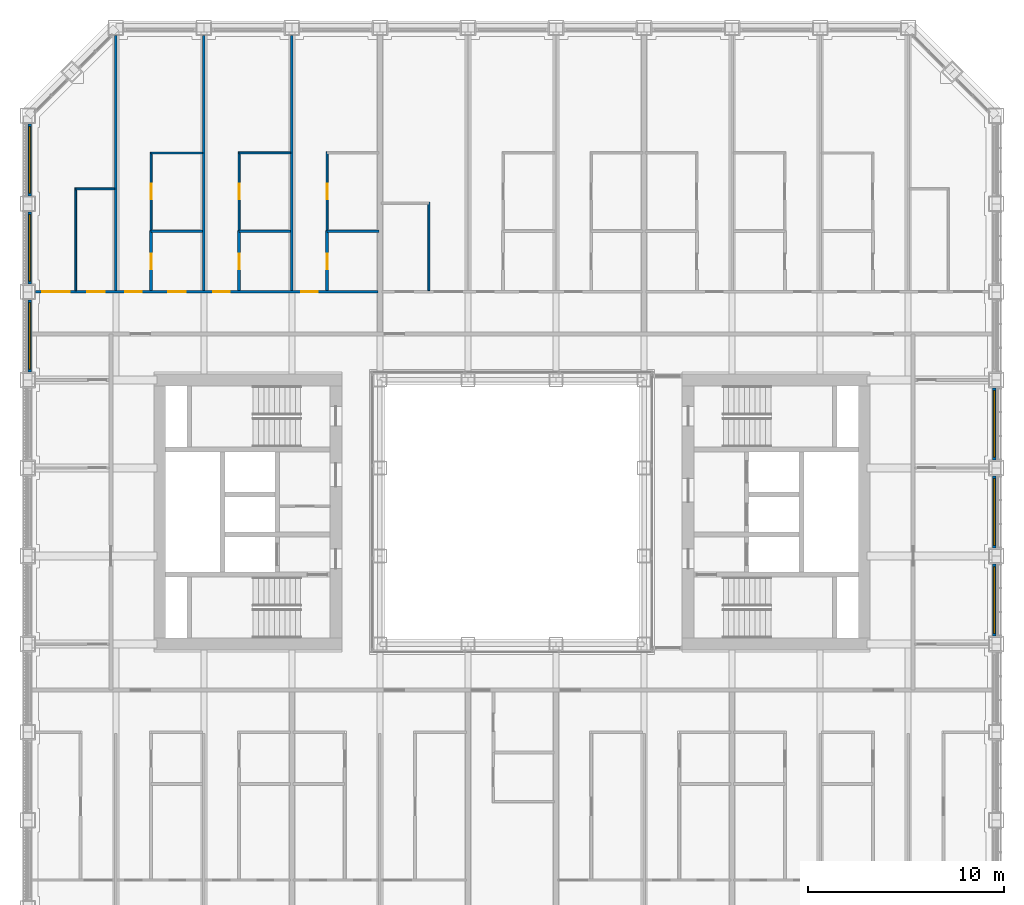
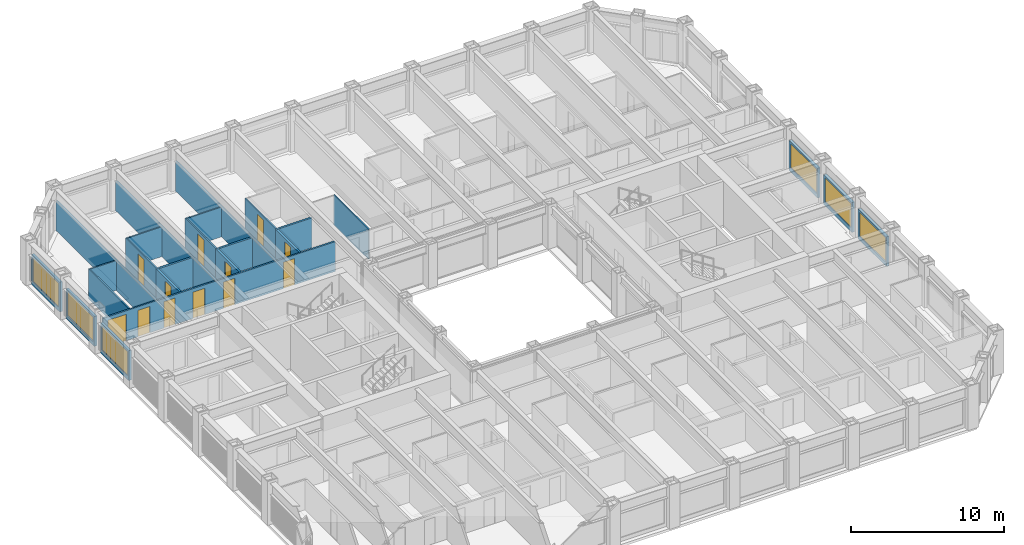
# One storey, part 13 of 21: 24 walls, 12 doors, 6 windows, 18 openings.
"""IFC4 building model written with IfcOpenShell, lengths in metres."""

from ifc_helpers import new_model, si_unit, direction, frame, frame_2d, origin, place, context, subcontext, project, spatial, rectangle, extrude, material, layer, layer_set, type_object, element, fill, save


model = new_model("IFC4")

# Units and contexts
model_context = context("Model", 3, precision=1e-05, world=origin(), true_north=direction((0.0, 1.0)))
body_context = subcontext(model_context, "Body", "Model", "MODEL_VIEW")
ifc_project = project(units=[si_unit("LENGTHUNIT", "METRE"), si_unit("AREAUNIT", "SQUARE_METRE"), si_unit("VOLUMEUNIT", "CUBIC_METRE"), si_unit("PLANEANGLEUNIT", "RADIAN"), si_unit("MASSUNIT", "GRAM", prefix="KILO")], contexts=[model_context])

# Site, building, storey
site_placement = place(None, origin())
site = spatial("IfcSite", under=ifc_project, at=site_placement, CompositionType="ELEMENT")
building_placement = place(site_placement, origin())
building = spatial("IfcBuilding", under=site, at=building_placement, Name="Msasa Ring Tower", CompositionType="ELEMENT")
storey_placement = place(building_placement, frame((0.0, 0.0, 72.0)))
storey = spatial("IfcBuildingStorey", under=building, at=storey_placement, Name="L18", CompositionType="ELEMENT", Elevation=72.0)

# Wall, opening, window
ifc_material_1 = material(Name="Terracotta rainscreen on blockwork", Category="masonry")
ifc_layer_1 = layer(ifc_material_1, 0.199951171875)
ifc_layer_set_1 = layer_set([ifc_layer_1], Name="FW1 TERRACOTTA-LINED INFILL BAY WALL 200")
wall_type_1 = type_object("IfcWallType", Name="FW1 TERRACOTTA-LINED INFILL BAY WALL 200", PredefinedType="SOLIDWALL", material=ifc_layer_set_1)
wall_1_placement = place(storey_placement, frame((24.64990234375, -6.344970703125, 0.0), z_axis=(0.0, 0.0, 1.0), x_axis=(0.0, 1.0, 0.0)))
wall_1 = element("IfcWall", 1, at=wall_1_placement, inside=storey, type_object=wall_type_1, Name="Infill bay wall E L18 14", PredefinedType="SOLIDWALL", context=body_context, shape_type="SweptSolid", body=[
    extrude(rectangle(XDim=3.68994140625, YDim=0.199951171875, at=frame_2d((1.844970703125, 0.0))), origin(), (0.0, 0.0, 1.0), 2.37890625),
])
opening_1_placement = place(wall_1_placement, frame((0.14501953125, 0.0, 0.300048828125)))
opening_1 = element("IfcOpeningElement", 2, at=opening_1_placement, cuts=wall_1, Name="Opening WN1", PredefinedType="OPENING", context=body_context, shape_type="SweptSolid", body=[
    extrude(rectangle(XDim=3.39990234375, YDim=1.928955078125, at=frame_2d((1.699951171875, 0.96435546875))), frame((0.0, 0.10986328125, 0.0), z_axis=(0.0, -1.0, 0.0), x_axis=(1.0, 0.0, 0.0)), (0.0, 0.0, 1.0), 0.219970703125),
])
ifc_material_2 = material(Name="Aluminium frame with clear glass", Category="aluminium")
window_type = type_object("IfcWindowType", Name="WN1 RESIDENCE WINDOW 3400x1929", PartitioningType="SINGLE_PANEL", PredefinedType="WINDOW", material=ifc_material_2)
window_1_placement = place(opening_1_placement, origin())
window_1 = element("IfcWindow", 3, at=window_1_placement, inside=storey, type_object=window_type, Name="Window E L18 14", OverallHeight=1.928955078125, OverallWidth=3.39990234375, PartitioningType="SINGLE_PANEL", PredefinedType="WINDOW", context=body_context, shape_type="SweptSolid", body=[
    extrude(rectangle(XDim=3.39990234375, YDim=1.928955078125, at=frame_2d((1.699951171875, 0.96435546875))), frame((0.0, 0.030029296875, 0.0), z_axis=(0.0, -1.0, 0.0), x_axis=(1.0, 0.0, 0.0)), (0.0, 0.0, 1.0), 0.06005859375),
])
fill(opening_1, window_1)

wall_2_placement = place(storey_placement, frame((24.64990234375, -1.844970703125, 0.0), z_axis=(0.0, 0.0, 1.0), x_axis=(0.0, 1.0, 0.0)))
wall_2 = element("IfcWall", 4, at=wall_2_placement, inside=storey, type_object=wall_type_1, Name="Infill bay wall E L18 15", PredefinedType="SOLIDWALL", context=body_context, shape_type="SweptSolid", body=[
    extrude(rectangle(XDim=3.68994140625, YDim=0.199951171875, at=frame_2d((1.844970703125, 0.0))), origin(), (0.0, 0.0, 1.0), 2.37890625),
])
opening_2_placement = place(wall_2_placement, frame((0.14501953125, 0.0, 0.300048828125)))
opening_2 = element("IfcOpeningElement", 5, at=opening_2_placement, cuts=wall_2, Name="Opening WN1", PredefinedType="OPENING", context=body_context, shape_type="SweptSolid", body=[
    extrude(rectangle(XDim=3.39990234375, YDim=1.928955078125, at=frame_2d((1.699951171875, 0.96435546875))), frame((0.0, 0.10986328125, 0.0), z_axis=(0.0, -1.0, 0.0), x_axis=(1.0, 0.0, 0.0)), (0.0, 0.0, 1.0), 0.219970703125),
])
window_2_placement = place(opening_2_placement, origin())
window_2 = element("IfcWindow", 6, at=window_2_placement, inside=storey, type_object=window_type, Name="Window E L18 15", OverallHeight=1.928955078125, OverallWidth=3.39990234375, PartitioningType="SINGLE_PANEL", PredefinedType="WINDOW", context=body_context, shape_type="SweptSolid", body=[
    extrude(rectangle(XDim=3.39990234375, YDim=1.928955078125, at=frame_2d((1.699951171875, 0.96435546875))), frame((0.0, 0.030029296875, 0.0), z_axis=(0.0, -1.0, 0.0), x_axis=(1.0, 0.0, 0.0)), (0.0, 0.0, 1.0), 0.06005859375),
])
fill(opening_2, window_2)

wall_3_placement = place(storey_placement, frame((24.64990234375, 2.655029296875, 0.0), z_axis=(0.0, 0.0, 1.0), x_axis=(0.0, 1.0, 0.0)))
wall_3 = element("IfcWall", 7, at=wall_3_placement, inside=storey, type_object=wall_type_1, Name="Infill bay wall E L18 16", PredefinedType="SOLIDWALL", context=body_context, shape_type="SweptSolid", body=[
    extrude(rectangle(XDim=3.68994140625, YDim=0.199951171875, at=frame_2d((1.844970703125, 0.0))), origin(), (0.0, 0.0, 1.0), 2.37890625),
])
opening_3_placement = place(wall_3_placement, frame((0.14501953125, 0.0, 0.300048828125)))
opening_3 = element("IfcOpeningElement", 8, at=opening_3_placement, cuts=wall_3, Name="Opening WN1", PredefinedType="OPENING", context=body_context, shape_type="SweptSolid", body=[
    extrude(rectangle(XDim=3.39990234375, YDim=1.928955078125, at=frame_2d((1.699951171875, 0.96435546875))), frame((0.0, 0.10986328125, 0.0), z_axis=(0.0, -1.0, 0.0), x_axis=(1.0, 0.0, 0.0)), (0.0, 0.0, 1.0), 0.219970703125),
])
window_3_placement = place(opening_3_placement, origin())
window_3 = element("IfcWindow", 9, at=window_3_placement, inside=storey, type_object=window_type, Name="Window E L18 16", OverallHeight=1.928955078125, OverallWidth=3.39990234375, PartitioningType="SINGLE_PANEL", PredefinedType="WINDOW", context=body_context, shape_type="SweptSolid", body=[
    extrude(rectangle(XDim=3.39990234375, YDim=1.928955078125, at=frame_2d((1.699951171875, 0.96435546875))), frame((0.0, 0.030029296875, 0.0), z_axis=(0.0, -1.0, 0.0), x_axis=(1.0, 0.0, 0.0)), (0.0, 0.0, 1.0), 0.06005859375),
])
fill(opening_3, window_3)

wall_4_placement = place(storey_placement, frame((-24.64990234375, 7.155029296875, 0.0), z_axis=(0.0, 0.0, 1.0), x_axis=(0.0, 1.0, 0.0)))
wall_4 = element("IfcWall", 10, at=wall_4_placement, inside=storey, type_object=wall_type_1, Name="Infill bay wall W L18 39", PredefinedType="SOLIDWALL", context=body_context, shape_type="SweptSolid", body=[
    extrude(rectangle(XDim=3.68994140625, YDim=0.199951171875, at=frame_2d((1.844970703125, 0.0))), origin(), (0.0, 0.0, 1.0), 2.37890625),
])
opening_4_placement = place(wall_4_placement, frame((0.14501953125, 0.0, 0.300048828125)))
opening_4 = element("IfcOpeningElement", 11, at=opening_4_placement, cuts=wall_4, Name="Opening WN1", PredefinedType="OPENING", context=body_context, shape_type="SweptSolid", body=[
    extrude(rectangle(XDim=3.39990234375, YDim=1.928955078125, at=frame_2d((1.699951171875, 0.96435546875))), frame((0.0, 0.10986328125, 0.0), z_axis=(0.0, -1.0, 0.0), x_axis=(1.0, 0.0, 0.0)), (0.0, 0.0, 1.0), 0.219970703125),
])
window_4_placement = place(opening_4_placement, origin())
window_4 = element("IfcWindow", 12, at=window_4_placement, inside=storey, type_object=window_type, Name="Window W L18 39", OverallHeight=1.928955078125, OverallWidth=3.39990234375, PartitioningType="SINGLE_PANEL", PredefinedType="WINDOW", context=body_context, shape_type="SweptSolid", body=[
    extrude(rectangle(XDim=3.39990234375, YDim=1.928955078125, at=frame_2d((1.699951171875, 0.96435546875))), frame((0.0, 0.030029296875, 0.0), z_axis=(0.0, -1.0, 0.0), x_axis=(1.0, 0.0, 0.0)), (0.0, 0.0, 1.0), 0.06005859375),
])
fill(opening_4, window_4)

wall_5_placement = place(storey_placement, frame((-24.64990234375, 11.655029296875, 0.0), z_axis=(0.0, 0.0, 1.0), x_axis=(0.0, 1.0, 0.0)))
wall_5 = element("IfcWall", 13, at=wall_5_placement, inside=storey, type_object=wall_type_1, Name="Infill bay wall W L18 40", PredefinedType="SOLIDWALL", context=body_context, shape_type="SweptSolid", body=[
    extrude(rectangle(XDim=3.68994140625, YDim=0.199951171875, at=frame_2d((1.844970703125, 0.0))), origin(), (0.0, 0.0, 1.0), 2.37890625),
])
opening_5_placement = place(wall_5_placement, frame((0.14501953125, 0.0, 0.300048828125)))
opening_5 = element("IfcOpeningElement", 14, at=opening_5_placement, cuts=wall_5, Name="Opening WN1", PredefinedType="OPENING", context=body_context, shape_type="SweptSolid", body=[
    extrude(rectangle(XDim=3.39990234375, YDim=1.928955078125, at=frame_2d((1.699951171875, 0.96435546875))), frame((0.0, 0.10986328125, 0.0), z_axis=(0.0, -1.0, 0.0), x_axis=(1.0, 0.0, 0.0)), (0.0, 0.0, 1.0), 0.219970703125),
])
window_5_placement = place(opening_5_placement, origin())
window_5 = element("IfcWindow", 15, at=window_5_placement, inside=storey, type_object=window_type, Name="Window W L18 40", OverallHeight=1.928955078125, OverallWidth=3.39990234375, PartitioningType="SINGLE_PANEL", PredefinedType="WINDOW", context=body_context, shape_type="SweptSolid", body=[
    extrude(rectangle(XDim=3.39990234375, YDim=1.928955078125, at=frame_2d((1.699951171875, 0.96435546875))), frame((0.0, 0.030029296875, 0.0), z_axis=(0.0, -1.0, 0.0), x_axis=(1.0, 0.0, 0.0)), (0.0, 0.0, 1.0), 0.06005859375),
])
fill(opening_5, window_5)

wall_6_placement = place(storey_placement, frame((-24.64990234375, 16.155029296875, 0.0), z_axis=(0.0, 0.0, 1.0), x_axis=(0.0, 1.0, 0.0)))
wall_6 = element("IfcWall", 16, at=wall_6_placement, inside=storey, type_object=wall_type_1, Name="Infill bay wall W L18 41", PredefinedType="SOLIDWALL", context=body_context, shape_type="SweptSolid", body=[
    extrude(rectangle(XDim=3.68994140625, YDim=0.199951171875, at=frame_2d((1.844970703125, 0.0))), origin(), (0.0, 0.0, 1.0), 2.37890625),
])
opening_6_placement = place(wall_6_placement, frame((0.14501953125, 0.0, 0.300048828125)))
opening_6 = element("IfcOpeningElement", 17, at=opening_6_placement, cuts=wall_6, Name="Opening WN1", PredefinedType="OPENING", context=body_context, shape_type="SweptSolid", body=[
    extrude(rectangle(XDim=3.39990234375, YDim=1.928955078125, at=frame_2d((1.699951171875, 0.96435546875))), frame((0.0, 0.10986328125, 0.0), z_axis=(0.0, -1.0, 0.0), x_axis=(1.0, 0.0, 0.0)), (0.0, 0.0, 1.0), 0.219970703125),
])
window_6_placement = place(opening_6_placement, origin())
window_6 = element("IfcWindow", 18, at=window_6_placement, inside=storey, type_object=window_type, Name="Window W L18 41", OverallHeight=1.928955078125, OverallWidth=3.39990234375, PartitioningType="SINGLE_PANEL", PredefinedType="WINDOW", context=body_context, shape_type="SweptSolid", body=[
    extrude(rectangle(XDim=3.39990234375, YDim=1.928955078125, at=frame_2d((1.699951171875, 0.96435546875))), frame((0.0, 0.030029296875, 0.0), z_axis=(0.0, -1.0, 0.0), x_axis=(1.0, 0.0, 0.0)), (0.0, 0.0, 1.0), 0.06005859375),
])
fill(opening_6, window_6)

# Walls
ifc_material_3 = material(Name="Gypsum board on steel studs", Category="steel")
ifc_layer_2 = layer(ifc_material_3, 0.10009765625)
ifc_layer_set_2 = layer_set([ifc_layer_2], Name="PT2 STUD PARTITION 100")
wall_type_2 = type_object("IfcWallType", Name="PT2 STUD PARTITION 100", PredefinedType="PARTITIONING", material=ifc_layer_set_2)
wall_7_placement = place(storey_placement, frame((-22.300048828125, 11.3125, 0.0), z_axis=(0.0, 0.0, 1.0), x_axis=(0.0, 1.0, 0.0)))
element("IfcWall", 19, at=wall_7_placement, inside=storey, type_object=wall_type_2, Name="Partition L18-UN00KX", PredefinedType="PARTITIONING", context=body_context, shape_type="SweptSolid", body=[
    extrude(rectangle(XDim=5.25, YDim=0.10009765625, at=frame_2d((2.625, 0.0))), origin(), (0.0, 0.0, 1.0), 2.373291015625),
])
wall_8_placement = place(storey_placement, frame((-22.300048828125, 16.512451171875, 0.0), z_axis=(0.0, 0.0, 1.0), x_axis=(1.0, 0.0, 0.0)))
element("IfcWall", 20, at=wall_8_placement, inside=storey, type_object=wall_type_2, Name="Partition L18-UN00KY", PredefinedType="PARTITIONING", context=body_context, shape_type="SweptSolid", body=[
    extrude(rectangle(XDim=1.987548828125, YDim=0.10009765625, at=frame_2d((0.99365234375, 0.0))), origin(), (0.0, 0.0, 1.0), 2.373291015625),
])

# Wall, opening, door
wall_9_placement = place(storey_placement, frame((-18.449951171875, 14.39990234375, 0.0), z_axis=(0.0, 0.0, 1.0), x_axis=(0.0, 1.0, 0.0)))
wall_9 = element("IfcWall", 21, at=wall_9_placement, inside=storey, type_object=wall_type_2, Name="Partition L18-UN00WX1", PredefinedType="PARTITIONING", context=body_context, shape_type="SweptSolid", body=[
    extrude(rectangle(XDim=4.00048828125, YDim=0.10009765625, at=frame_2d((2.000244140625, 0.0))), origin(), (0.0, 0.0, 1.0), 2.373291015625),
])
opening_7_placement = place(wall_9_placement, frame((1.5751953125, 0.0, 0.0)))
opening_7 = element("IfcOpeningElement", 22, at=opening_7_placement, cuts=wall_9, Name="Opening RE-001", PredefinedType="OPENING", context=body_context, shape_type="SweptSolid", body=[
    extrude(rectangle(XDim=0.800048828125, YDim=2.10009765625, at=frame_2d((0.39990234375, 1.050048828125))), frame((0.0, 0.06005859375, 0.0), z_axis=(0.0, -1.0, 0.0), x_axis=(1.0, 0.0, 0.0)), (0.0, 0.0, 1.0), 0.1201171875),
])
ifc_material_4 = material(Name="Timber door leaf in a steel frame", Category="steel")
door_type_1 = type_object("IfcDoorType", Name="D60 DRESSING ROOM DOOR 800x2100", OperationType="SINGLE_SWING_LEFT", PredefinedType="DOOR", material=ifc_material_4)
door_1_placement = place(opening_7_placement, origin())
door_1 = element("IfcDoor", 23, at=door_1_placement, inside=storey, type_object=door_type_1, Name="Door L18-UN00W1", OperationType="SINGLE_SWING_LEFT", OverallHeight=2.10009765625, OverallWidth=0.800048828125, PredefinedType="DOOR", context=body_context, shape_type="SweptSolid", body=[
    extrude(rectangle(XDim=0.800048828125, YDim=2.10009765625, at=frame_2d((0.39990234375, 1.050048828125))), frame((0.0, 0.02490234375, 0.0), z_axis=(0.0, -1.0, 0.0), x_axis=(1.0, 0.0, 0.0)), (0.0, 0.0, 1.0), 0.050048828125),
])
fill(opening_7, door_1)

# Wall
wall_10_placement = place(storey_placement, frame((-18.449951171875, 18.350341796875, 0.0), z_axis=(0.0, 0.0, 1.0), x_axis=(1.0, 0.0, 0.0)))
element("IfcWall", 24, at=wall_10_placement, inside=storey, type_object=wall_type_2, Name="Partition L18-UN00WY1", PredefinedType="PARTITIONING", context=body_context, shape_type="SweptSolid", body=[
    extrude(rectangle(XDim=2.639892578125, YDim=0.10009765625, at=frame_2d((1.31982421875, 0.0))), origin(), (0.0, 0.0, 1.0), 2.373291015625),
])

# Wall, opening, door
wall_11_placement = place(storey_placement, frame((-13.949951171875, 14.39990234375, 0.0), z_axis=(0.0, 0.0, 1.0), x_axis=(0.0, 1.0, 0.0)))
wall_11 = element("IfcWall", 25, at=wall_11_placement, inside=storey, type_object=wall_type_2, Name="Partition L18-UN00WX2", PredefinedType="PARTITIONING", context=body_context, shape_type="SweptSolid", body=[
    extrude(rectangle(XDim=4.003173828125, YDim=0.10009765625, at=frame_2d((2.00146484375, 0.0))), origin(), (0.0, 0.0, 1.0), 2.373291015625),
])
opening_8_placement = place(wall_11_placement, frame((1.576416015625, 0.0, 0.0)))
opening_8 = element("IfcOpeningElement", 26, at=opening_8_placement, cuts=wall_11, Name="Opening RE-002", PredefinedType="OPENING", context=body_context, shape_type="SweptSolid", body=[
    extrude(rectangle(XDim=0.800048828125, YDim=2.10009765625, at=frame_2d((0.39990234375, 1.050048828125))), frame((0.0, 0.06005859375, 0.0), z_axis=(0.0, -1.0, 0.0), x_axis=(1.0, 0.0, 0.0)), (0.0, 0.0, 1.0), 0.1201171875),
])
door_2_placement = place(opening_8_placement, origin())
door_2 = element("IfcDoor", 27, at=door_2_placement, inside=storey, type_object=door_type_1, Name="Door L18-UN00W2", OperationType="SINGLE_SWING_LEFT", OverallHeight=2.10009765625, OverallWidth=0.800048828125, PredefinedType="DOOR", context=body_context, shape_type="SweptSolid", body=[
    extrude(rectangle(XDim=0.800048828125, YDim=2.10009765625, at=frame_2d((0.39990234375, 1.050048828125))), frame((0.0, 0.02490234375, 0.0), z_axis=(0.0, -1.0, 0.0), x_axis=(1.0, 0.0, 0.0)), (0.0, 0.0, 1.0), 0.050048828125),
])
fill(opening_8, door_2)

# Wall
wall_12_placement = place(storey_placement, frame((-13.949951171875, 18.35302734375, 0.0), z_axis=(0.0, 0.0, 1.0), x_axis=(1.0, 0.0, 0.0)))
element("IfcWall", 28, at=wall_12_placement, inside=storey, type_object=wall_type_2, Name="Partition L18-UN00WY2", PredefinedType="PARTITIONING", context=body_context, shape_type="SweptSolid", body=[
    extrude(rectangle(XDim=2.639892578125, YDim=0.10009765625, at=frame_2d((1.31982421875, 0.0))), origin(), (0.0, 0.0, 1.0), 2.373291015625),
])

# Wall, opening, door
wall_13_placement = place(storey_placement, frame((-9.449951171875, 14.39990234375, 0.0), z_axis=(0.0, 0.0, 1.0), x_axis=(0.0, 1.0, 0.0)))
wall_13 = element("IfcWall", 29, at=wall_13_placement, inside=storey, type_object=wall_type_2, Name="Partition L18-UN00WX3", PredefinedType="PARTITIONING", context=body_context, shape_type="SweptSolid", body=[
    extrude(rectangle(XDim=4.003173828125, YDim=0.10009765625, at=frame_2d((2.00146484375, 0.0))), origin(), (0.0, 0.0, 1.0), 2.373291015625),
])
opening_9_placement = place(wall_13_placement, frame((1.576416015625, 0.0, 0.0)))
opening_9 = element("IfcOpeningElement", 30, at=opening_9_placement, cuts=wall_13, Name="Opening RE-003", PredefinedType="OPENING", context=body_context, shape_type="SweptSolid", body=[
    extrude(rectangle(XDim=0.800048828125, YDim=2.10009765625, at=frame_2d((0.39990234375, 1.050048828125))), frame((0.0, 0.06005859375, 0.0), z_axis=(0.0, -1.0, 0.0), x_axis=(1.0, 0.0, 0.0)), (0.0, 0.0, 1.0), 0.1201171875),
])
door_3_placement = place(opening_9_placement, origin())
door_3 = element("IfcDoor", 31, at=door_3_placement, inside=storey, type_object=door_type_1, Name="Door L18-UN00W3", OperationType="SINGLE_SWING_LEFT", OverallHeight=2.10009765625, OverallWidth=0.800048828125, PredefinedType="DOOR", context=body_context, shape_type="SweptSolid", body=[
    extrude(rectangle(XDim=0.800048828125, YDim=2.10009765625, at=frame_2d((0.39990234375, 1.050048828125))), frame((0.0, 0.02490234375, 0.0), z_axis=(0.0, -1.0, 0.0), x_axis=(1.0, 0.0, 0.0)), (0.0, 0.0, 1.0), 0.050048828125),
])
fill(opening_9, door_3)

# Wall
wall_14_placement = place(storey_placement, frame((-4.25, 11.3125, 0.0), z_axis=(0.0, 0.0, 1.0), x_axis=(0.0, 1.0, 0.0)))
element("IfcWall", 32, at=wall_14_placement, inside=storey, type_object=wall_type_2, Name="Partition L18-UN01KX", PredefinedType="PARTITIONING", context=body_context, shape_type="SweptSolid", body=[
    extrude(rectangle(XDim=4.530029296875, YDim=0.10009765625, at=frame_2d((2.26513671875, 0.0))), origin(), (0.0, 0.0, 1.0), 2.373291015625),
])

# Wall, opening, door
ifc_material_5 = material(Name="Moisture-resistant board on steel studs with a concealed cistern and pipe void, tiled", Category="steel")
ifc_layer_3 = layer(ifc_material_5, 0.14990234375)
ifc_layer_set_3 = layer_set([ifc_layer_3], Name="PT4 BATHROOM WET WALL 150")
wall_type_3 = type_object("IfcWallType", Name="PT4 BATHROOM WET WALL 150", PredefinedType="PARTITIONING", material=ifc_layer_set_3)
wall_15_placement = place(storey_placement, frame((-18.449951171875, 11.3125, 0.0), z_axis=(0.0, 0.0, 1.0), x_axis=(0.0, 1.0, 0.0)))
wall_15 = element("IfcWall", 33, at=wall_15_placement, inside=storey, type_object=wall_type_3, Name="Partition L18-UN00BX1", PredefinedType="PARTITIONING", context=body_context, shape_type="SweptSolid", body=[
    extrude(rectangle(XDim=3.08740234375, YDim=0.14990234375, at=frame_2d((1.543701171875, 0.0))), origin(), (0.0, 0.0, 1.0), 2.373291015625),
])
opening_10_placement = place(wall_15_placement, frame((1.08740234375, 0.0, 0.0)))
opening_10 = element("IfcOpeningElement", 34, at=opening_10_placement, cuts=wall_15, Name="Opening RE-009", PredefinedType="OPENING", context=body_context, shape_type="SweptSolid", body=[
    extrude(rectangle(XDim=0.800048828125, YDim=2.10009765625, at=frame_2d((0.39990234375, 1.050048828125))), frame((0.0, 0.0849609375, 0.0), z_axis=(0.0, -1.0, 0.0), x_axis=(1.0, 0.0, 0.0)), (0.0, 0.0, 1.0), 0.169921875),
])
ifc_material_6 = material(Name="Timber door leaf in a steel frame", Category="steel")
door_type_2 = type_object("IfcDoorType", Name="D21 POCKET SLIDING BATHROOM DOOR 800x2100", OperationType="SINGLE_SWING_LEFT", PredefinedType="DOOR", material=ifc_material_6)
door_4_placement = place(opening_10_placement, origin())
door_4 = element("IfcDoor", 35, at=door_4_placement, inside=storey, type_object=door_type_2, Name="Door L18-UN00B1", OperationType="SINGLE_SWING_LEFT", OverallHeight=2.10009765625, OverallWidth=0.800048828125, PredefinedType="DOOR", context=body_context, shape_type="SweptSolid", body=[
    extrude(rectangle(XDim=0.800048828125, YDim=2.10009765625, at=frame_2d((0.39990234375, 1.050048828125))), frame((0.0, 0.02490234375, 0.0), z_axis=(0.0, -1.0, 0.0), x_axis=(1.0, 0.0, 0.0)), (0.0, 0.0, 1.0), 0.050048828125),
])
fill(opening_10, door_4)

# Wall
wall_16_placement = place(storey_placement, frame((-18.449951171875, 14.35009765625, 0.0), z_axis=(0.0, 0.0, 1.0), x_axis=(1.0, 0.0, 0.0)))
element("IfcWall", 36, at=wall_16_placement, inside=storey, type_object=wall_type_3, Name="Partition L18-UN00BY1", PredefinedType="PARTITIONING", context=body_context, shape_type="SweptSolid", body=[
    extrude(rectangle(XDim=2.639892578125, YDim=0.14990234375, at=frame_2d((1.31982421875, 0.0))), origin(), (0.0, 0.0, 1.0), 2.373291015625),
])

# Wall, opening, door
wall_17_placement = place(storey_placement, frame((-13.949951171875, 11.3125, 0.0), z_axis=(0.0, 0.0, 1.0), x_axis=(0.0, 1.0, 0.0)))
wall_17 = element("IfcWall", 37, at=wall_17_placement, inside=storey, type_object=wall_type_3, Name="Partition L18-UN00BX2", PredefinedType="PARTITIONING", context=body_context, shape_type="SweptSolid", body=[
    extrude(rectangle(XDim=3.08740234375, YDim=0.14990234375, at=frame_2d((1.543701171875, 0.0))), origin(), (0.0, 0.0, 1.0), 2.373291015625),
])
opening_11_placement = place(wall_17_placement, frame((1.08740234375, 0.0, 0.0)))
opening_11 = element("IfcOpeningElement", 38, at=opening_11_placement, cuts=wall_17, Name="Opening RE-010", PredefinedType="OPENING", context=body_context, shape_type="SweptSolid", body=[
    extrude(rectangle(XDim=0.800048828125, YDim=2.10009765625, at=frame_2d((0.39990234375, 1.050048828125))), frame((0.0, 0.0849609375, 0.0), z_axis=(0.0, -1.0, 0.0), x_axis=(1.0, 0.0, 0.0)), (0.0, 0.0, 1.0), 0.169921875),
])
door_5_placement = place(opening_11_placement, origin())
door_5 = element("IfcDoor", 39, at=door_5_placement, inside=storey, type_object=door_type_2, Name="Door L18-UN00B2", OperationType="SINGLE_SWING_LEFT", OverallHeight=2.10009765625, OverallWidth=0.800048828125, PredefinedType="DOOR", context=body_context, shape_type="SweptSolid", body=[
    extrude(rectangle(XDim=0.800048828125, YDim=2.10009765625, at=frame_2d((0.39990234375, 1.050048828125))), frame((0.0, 0.02490234375, 0.0), z_axis=(0.0, -1.0, 0.0), x_axis=(1.0, 0.0, 0.0)), (0.0, 0.0, 1.0), 0.050048828125),
])
fill(opening_11, door_5)

# Wall
wall_18_placement = place(storey_placement, frame((-13.949951171875, 14.35009765625, 0.0), z_axis=(0.0, 0.0, 1.0), x_axis=(1.0, 0.0, 0.0)))
element("IfcWall", 40, at=wall_18_placement, inside=storey, type_object=wall_type_3, Name="Partition L18-UN00BY2", PredefinedType="PARTITIONING", context=body_context, shape_type="SweptSolid", body=[
    extrude(rectangle(XDim=2.639892578125, YDim=0.14990234375, at=frame_2d((1.31982421875, 0.0))), origin(), (0.0, 0.0, 1.0), 2.373291015625),
])

# Wall, opening, door
wall_19_placement = place(storey_placement, frame((-9.449951171875, 11.3125, 0.0), z_axis=(0.0, 0.0, 1.0), x_axis=(0.0, 1.0, 0.0)))
wall_19 = element("IfcWall", 41, at=wall_19_placement, inside=storey, type_object=wall_type_3, Name="Partition L18-UN00BX3", PredefinedType="PARTITIONING", context=body_context, shape_type="SweptSolid", body=[
    extrude(rectangle(XDim=3.08740234375, YDim=0.14990234375, at=frame_2d((1.543701171875, 0.0))), origin(), (0.0, 0.0, 1.0), 2.373291015625),
])
opening_12_placement = place(wall_19_placement, frame((1.08740234375, 0.0, 0.0)))
opening_12 = element("IfcOpeningElement", 42, at=opening_12_placement, cuts=wall_19, Name="Opening RE-011", PredefinedType="OPENING", context=body_context, shape_type="SweptSolid", body=[
    extrude(rectangle(XDim=0.800048828125, YDim=2.10009765625, at=frame_2d((0.39990234375, 1.050048828125))), frame((0.0, 0.0849609375, 0.0), z_axis=(0.0, -1.0, 0.0), x_axis=(1.0, 0.0, 0.0)), (0.0, 0.0, 1.0), 0.169921875),
])
door_6_placement = place(opening_12_placement, origin())
door_6 = element("IfcDoor", 43, at=door_6_placement, inside=storey, type_object=door_type_2, Name="Door L18-UN00B3", OperationType="SINGLE_SWING_LEFT", OverallHeight=2.10009765625, OverallWidth=0.800048828125, PredefinedType="DOOR", context=body_context, shape_type="SweptSolid", body=[
    extrude(rectangle(XDim=0.800048828125, YDim=2.10009765625, at=frame_2d((0.39990234375, 1.050048828125))), frame((0.0, 0.02490234375, 0.0), z_axis=(0.0, -1.0, 0.0), x_axis=(1.0, 0.0, 0.0)), (0.0, 0.0, 1.0), 0.050048828125),
])
fill(opening_12, door_6)

# Wall
wall_20_placement = place(storey_placement, frame((-9.449951171875, 14.35009765625, 0.0), z_axis=(0.0, 0.0, 1.0), x_axis=(1.0, 0.0, 0.0)))
element("IfcWall", 44, at=wall_20_placement, inside=storey, type_object=wall_type_3, Name="Partition L18-UN00BY3", PredefinedType="PARTITIONING", context=body_context, shape_type="SweptSolid", body=[
    extrude(rectangle(XDim=2.639892578125, YDim=0.14990234375, at=frame_2d((1.31982421875, 0.0))), origin(), (0.0, 0.0, 1.0), 2.373291015625),
])

# Wall, openings, doors
ifc_material_7 = material(Name="Two layers of acoustic board each face on steel studs, mineral wool", Category="steel")
ifc_layer_4 = layer(ifc_material_7, 0.125)
ifc_layer_set_4 = layer_set([ifc_layer_4], Name="PT6 ACOUSTIC DOUBLE-BOARD PARTITION 125")
wall_type_4 = type_object("IfcWallType", Name="PT6 ACOUSTIC DOUBLE-BOARD PARTITION 125", PredefinedType="PARTITIONING", material=ifc_layer_set_4)
wall_21_placement = place(storey_placement, frame((-24.35009765625, 11.25, 0.0), z_axis=(0.0, 0.0, 1.0), x_axis=(1.0, 0.0, 0.0)))
wall_21 = element("IfcWall", 45, at=wall_21_placement, inside=storey, type_object=wall_type_4, Name="Partition L18-UN00HY", PredefinedType="PARTITIONING", context=body_context, shape_type="SweptSolid", body=[
    extrude(rectangle(XDim=17.5, YDim=0.125, at=frame_2d((8.75, 0.0))), origin(), (0.0, 0.0, 1.0), 2.373291015625),
])
opening_13_placement = place(wall_21_placement, frame((2.625, 0.0, 0.0)))
opening_13 = element("IfcOpeningElement", 46, at=opening_13_placement, cuts=wall_21, Name="Opening RE-018", PredefinedType="OPENING", context=body_context, shape_type="SweptSolid", body=[
    extrude(rectangle(XDim=0.89990234375, YDim=2.10009765625, at=frame_2d((0.449951171875, 1.050048828125))), frame((0.0, 0.072509765625, 0.0), z_axis=(0.0, -1.0, 0.0), x_axis=(1.0, 0.0, 0.0)), (0.0, 0.0, 1.0), 0.14501953125),
])
opening_14_placement = place(wall_21_placement, frame((0.35009765625, 0.0, 0.0)))
opening_14 = element("IfcOpeningElement", 47, at=opening_14_placement, cuts=wall_21, Name="Opening RE-017", PredefinedType="OPENING", context=body_context, shape_type="SweptSolid", body=[
    extrude(rectangle(XDim=1.39990234375, YDim=2.10009765625, at=frame_2d((0.699951171875, 1.050048828125))), frame((0.0, 0.072509765625, 0.0), z_axis=(0.0, -1.0, 0.0), x_axis=(1.0, 0.0, 0.0)), (0.0, 0.0, 1.0), 0.14501953125),
])
opening_15_placement = place(wall_21_placement, frame((4.574951171875, 0.0, 0.0)))
opening_15 = element("IfcOpeningElement", 48, at=opening_15_placement, cuts=wall_21, Name="Opening RE-019", PredefinedType="OPENING", context=body_context, shape_type="SweptSolid", body=[
    extrude(rectangle(XDim=0.85009765625, YDim=2.10009765625, at=frame_2d((0.425048828125, 1.050048828125))), frame((0.0, 0.072509765625, 0.0), z_axis=(0.0, -1.0, 0.0), x_axis=(1.0, 0.0, 0.0)), (0.0, 0.0, 1.0), 0.14501953125),
])
opening_16_placement = place(wall_21_placement, frame((6.77001953125, 0.0, 0.0)))
opening_16 = element("IfcOpeningElement", 49, at=opening_16_placement, cuts=wall_21, Name="Opening RE-020", PredefinedType="OPENING", context=body_context, shape_type="SweptSolid", body=[
    extrude(rectangle(XDim=0.89990234375, YDim=2.10009765625, at=frame_2d((0.449951171875, 1.050048828125))), frame((0.0, 0.072509765625, 0.0), z_axis=(0.0, -1.0, 0.0), x_axis=(1.0, 0.0, 0.0)), (0.0, 0.0, 1.0), 0.14501953125),
])
opening_17_placement = place(wall_21_placement, frame((9.074951171875, 0.0, 0.0)))
opening_17 = element("IfcOpeningElement", 50, at=opening_17_placement, cuts=wall_21, Name="Opening RE-021", PredefinedType="OPENING", context=body_context, shape_type="SweptSolid", body=[
    extrude(rectangle(XDim=0.85009765625, YDim=2.10009765625, at=frame_2d((0.425048828125, 1.050048828125))), frame((0.0, 0.072509765625, 0.0), z_axis=(0.0, -1.0, 0.0), x_axis=(1.0, 0.0, 0.0)), (0.0, 0.0, 1.0), 0.14501953125),
])
opening_18_placement = place(wall_21_placement, frame((13.574951171875, 0.0, 0.0)))
opening_18 = element("IfcOpeningElement", 51, at=opening_18_placement, cuts=wall_21, Name="Opening RE-022", PredefinedType="OPENING", context=body_context, shape_type="SweptSolid", body=[
    extrude(rectangle(XDim=0.85009765625, YDim=2.10009765625, at=frame_2d((0.425048828125, 1.050048828125))), frame((0.0, 0.072509765625, 0.0), z_axis=(0.0, -1.0, 0.0), x_axis=(1.0, 0.0, 0.0)), (0.0, 0.0, 1.0), 0.14501953125),
])
ifc_material_8 = material(Name="Timber door leaf in a steel frame", Category="steel")
door_type_3 = type_object("IfcDoorType", Name="D14 BEDROOM DOOR 850x2100", OperationType="SINGLE_SWING_LEFT", PredefinedType="DOOR", material=ifc_material_8)
door_7_placement = place(opening_15_placement, origin())
door_7 = element("IfcDoor", 52, at=door_7_placement, inside=storey, type_object=door_type_3, Name="Door L18-UN00R1", OperationType="SINGLE_SWING_LEFT", OverallHeight=2.10009765625, OverallWidth=0.85009765625, PredefinedType="DOOR", context=body_context, shape_type="SweptSolid", body=[
    extrude(rectangle(XDim=0.85009765625, YDim=2.10009765625, at=frame_2d((0.425048828125, 1.050048828125))), frame((0.0, 0.02490234375, 0.0), z_axis=(0.0, -1.0, 0.0), x_axis=(1.0, 0.0, 0.0)), (0.0, 0.0, 1.0), 0.050048828125),
])
fill(opening_15, door_7)
door_8_placement = place(opening_17_placement, origin())
door_8 = element("IfcDoor", 53, at=door_8_placement, inside=storey, type_object=door_type_3, Name="Door L18-UN00R2", OperationType="SINGLE_SWING_RIGHT", OverallHeight=2.10009765625, OverallWidth=0.85009765625, PredefinedType="DOOR", context=body_context, shape_type="SweptSolid", body=[
    extrude(rectangle(XDim=0.85009765625, YDim=2.10009765625, at=frame_2d((0.425048828125, 1.050048828125))), frame((0.0, 0.02490234375, 0.0), z_axis=(0.0, -1.0, 0.0), x_axis=(1.0, 0.0, 0.0)), (0.0, 0.0, 1.0), 0.050048828125),
])
fill(opening_17, door_8)
door_9_placement = place(opening_18_placement, origin())
door_9 = element("IfcDoor", 54, at=door_9_placement, inside=storey, type_object=door_type_3, Name="Door L18-UN00R3", OperationType="SINGLE_SWING_RIGHT", OverallHeight=2.10009765625, OverallWidth=0.85009765625, PredefinedType="DOOR", context=body_context, shape_type="SweptSolid", body=[
    extrude(rectangle(XDim=0.85009765625, YDim=2.10009765625, at=frame_2d((0.425048828125, 1.050048828125))), frame((0.0, 0.02490234375, 0.0), z_axis=(0.0, -1.0, 0.0), x_axis=(1.0, 0.0, 0.0)), (0.0, 0.0, 1.0), 0.050048828125),
])
fill(opening_18, door_9)
ifc_material_9 = material(Name="Timber door leaf in a steel frame", Category="steel")
door_type_4 = type_object("IfcDoorType", Name="D15 LIVING ROOM PAIR OF GLAZED DOORS 1400x2100", OperationType="SINGLE_SWING_LEFT", PredefinedType="DOOR", material=ifc_material_9)
door_10_placement = place(opening_14_placement, origin())
door_10 = element("IfcDoor", 55, at=door_10_placement, inside=storey, type_object=door_type_4, Name="Door L18-UN00L", OperationType="SINGLE_SWING_LEFT", OverallHeight=2.10009765625, OverallWidth=1.39990234375, PredefinedType="DOOR", context=body_context, shape_type="SweptSolid", body=[
    extrude(rectangle(XDim=1.39990234375, YDim=2.10009765625, at=frame_2d((0.699951171875, 1.050048828125))), frame((0.0, 0.02490234375, 0.0), z_axis=(0.0, -1.0, 0.0), x_axis=(1.0, 0.0, 0.0)), (0.0, 0.0, 1.0), 0.050048828125),
])
fill(opening_14, door_10)
ifc_material_10 = material(Name="Timber door leaf in a steel frame", Category="steel")
door_type_5 = type_object("IfcDoorType", Name="D22 INTERNAL HALL DOOR 900x2100", OperationType="SINGLE_SWING_LEFT", PredefinedType="DOOR", material=ifc_material_10)
door_11_placement = place(opening_13_placement, origin())
door_11 = element("IfcDoor", 56, at=door_11_placement, inside=storey, type_object=door_type_5, Name="Door L18-UN00K", OperationType="SINGLE_SWING_LEFT", OverallHeight=2.10009765625, OverallWidth=0.89990234375, PredefinedType="DOOR", context=body_context, shape_type="SweptSolid", body=[
    extrude(rectangle(XDim=0.89990234375, YDim=2.10009765625, at=frame_2d((0.449951171875, 1.050048828125))), frame((0.0, 0.02490234375, 0.0), z_axis=(0.0, -1.0, 0.0), x_axis=(1.0, 0.0, 0.0)), (0.0, 0.0, 1.0), 0.050048828125),
])
fill(opening_13, door_11)
ifc_material_11 = material(Name="Timber door leaf in a steel frame", Category="steel")
door_type_6 = type_object("IfcDoorType", Name="D3 BATHROOM DOOR 900x2100", OperationType="SINGLE_SWING_LEFT", PredefinedType="DOOR", material=ifc_material_11)
door_12_placement = place(opening_16_placement, origin())
door_12 = element("IfcDoor", 57, at=door_12_placement, inside=storey, type_object=door_type_6, Name="Door L18-UN00BH1", OperationType="SINGLE_SWING_LEFT", OverallHeight=2.10009765625, OverallWidth=0.89990234375, PredefinedType="DOOR", context=body_context, shape_type="SweptSolid", body=[
    extrude(rectangle(XDim=0.89990234375, YDim=2.10009765625, at=frame_2d((0.449951171875, 1.050048828125))), frame((0.0, 0.02490234375, 0.0), z_axis=(0.0, -1.0, 0.0), x_axis=(1.0, 0.0, 0.0)), (0.0, 0.0, 1.0), 0.050048828125),
])
fill(opening_16, door_12)

# Walls
for number, where, z_axis, x_axis, name in (
    (58, (-20.25, 11.3125, 0.0), (0.0, 0.0, 1.0), (0.0, 1.0, 0.0), "Partition L18-UN00P1"),
    (59, (-15.75, 11.3125, 0.0), (0.0, 0.0, 1.0), (0.0, 1.0, 0.0), "Partition L18-UN00P2"),
    (60, (-11.25, 11.3125, 0.0), (0.0, 0.0, 1.0), (0.0, 1.0, 0.0), "Partition L18-UN00P3"),
):
    element("IfcWall", number, at=place(storey_placement, frame(where, z_axis=z_axis, x_axis=x_axis)), inside=storey, type_object=wall_type_4, Name=name, PredefinedType="PARTITIONING", context=body_context, shape_type="SweptSolid", body=[
        extrude(rectangle(XDim=13.03759765625, YDim=0.125, at=frame_2d((6.518798828125, 0.0))), origin(), (0.0, 0.0, 1.0), 2.373291015625),
    ])

save(model, "model.ifc")
